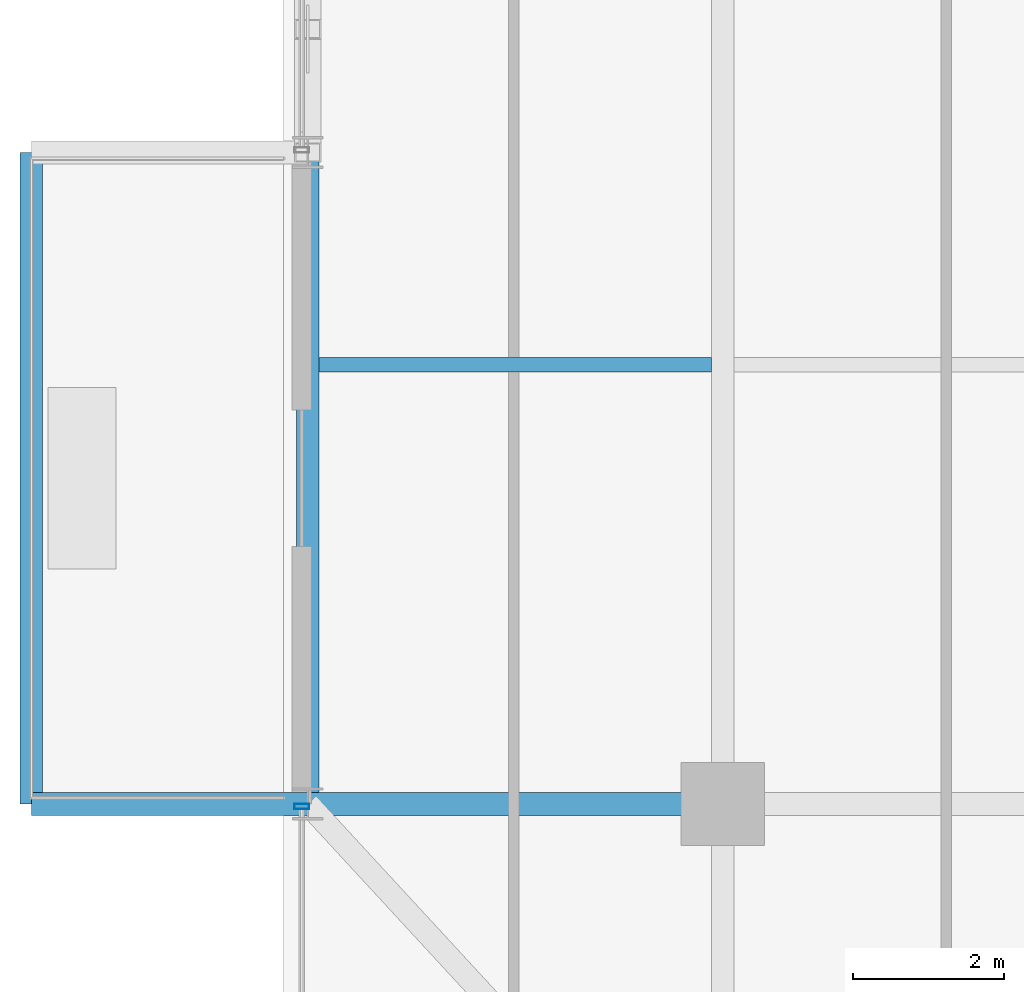
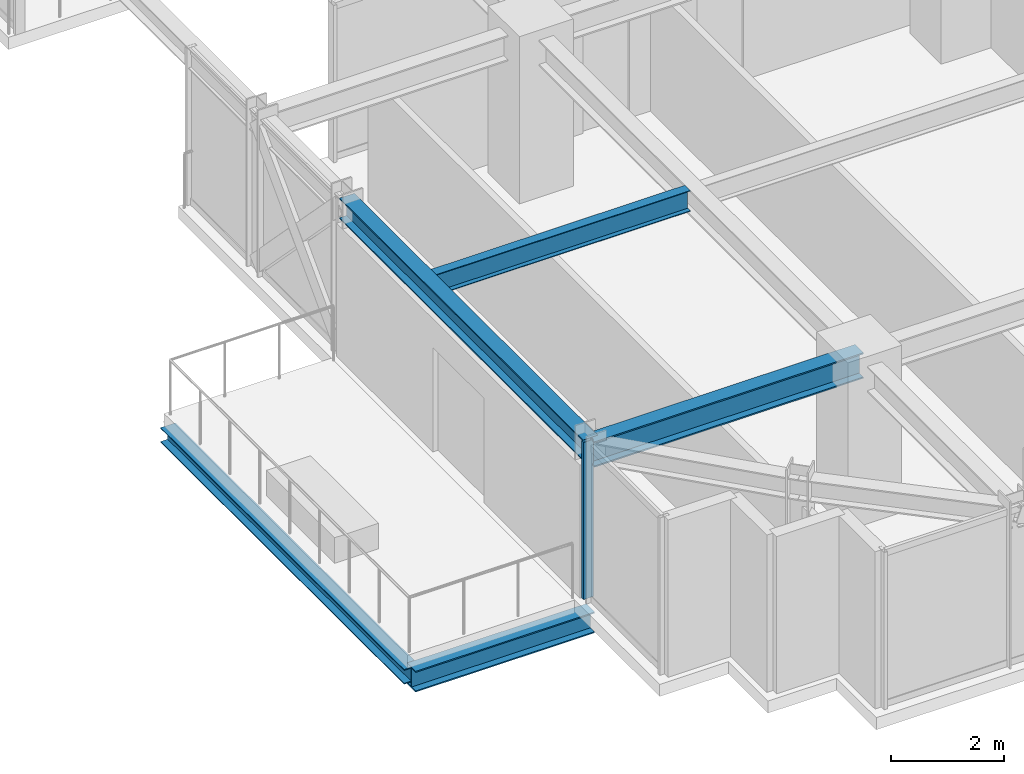
# One storey, part 3 of 35: 5 beams, 1 member, 1 element without a shape of its own.
"""IFC4 building model written with IfcOpenShell, lengths in metres."""

from ifc_helpers import new_model, si_unit, direction, frame, origin, origin_2d, place, context, subcontext, project, spatial, hollow_rectangle, i_section, extrude, source, transform, mapped, material, material_profile, profile_set, type_object, element, aggregate, save


model = new_model("IFC4")

# Units and contexts
model_context = context("Model", 3, precision=1e-05, world=origin(), true_north=direction((0.0, 1.0)))
body_context = subcontext(model_context, "Body", "Model", "MODEL_VIEW")
ifc_project = project(units=[si_unit("LENGTHUNIT", "METRE"), si_unit("AREAUNIT", "SQUARE_METRE"), si_unit("VOLUMEUNIT", "CUBIC_METRE"), si_unit("PLANEANGLEUNIT", "RADIAN"), si_unit("MASSUNIT", "GRAM", prefix="KILO")], contexts=[model_context])

# Site, building, storey
site_placement = place(None, origin())
site = spatial("IfcSite", under=ifc_project, at=site_placement, CompositionType="ELEMENT")
building_placement = place(site_placement, origin())
building = spatial("IfcBuilding", under=site, at=building_placement, Name="Nahalor Promenade Grand Hotel", CompositionType="ELEMENT")
storey_placement = place(building_placement, frame((0.0, 0.0, 185.5)))
storey = spatial("IfcBuildingStorey", under=building, at=storey_placement, Name="L47", CompositionType="ELEMENT", Elevation=185.5)

# Beams
ifc_material_1 = material(Name="Steel S355JR", Category="steel")
ifc_material_profile_1 = material_profile(ifc_material_1, i_section(OverallWidth=0.3, OverallDepth=0.32, WebThickness=0.0115, FlangeThickness=0.0205, at=origin_2d()), Name="HEB 320")
ifc_profile_set_1 = profile_set([ifc_material_profile_1], Name="Steel S355JR")
beam_type_1 = type_object("IfcBeamType", Name="Beam-BalcEdge-HEB320", PredefinedType="SPANDREL", material=ifc_profile_set_1)
shared_shape_1 = source(origin(), body_context, "Body", "SweptSolid", [
    extrude(i_section(OverallWidth=0.3, OverallDepth=0.32, WebThickness=0.0115, FlangeThickness=0.0205, at=origin_2d()), origin(), (0.0, 0.0, 1.0), 8.60009765625),
])
beam_1_placement = place(storey_placement, frame((-26.1298828125, -17.0, -0.43994140625), z_axis=(0.0, 1.0, 0.0), x_axis=(-1.0, 0.0, 0.0)))
element("IfcBeam", 1, at=beam_1_placement, inside=storey, type_object=beam_type_1, Name="BM-L47-BC-02-F", PredefinedType="SPANDREL", context=body_context, shape_type="MappedRepresentation", body=[
    mapped(shared_shape_1, transform((0.0, 0.0, 0.0), scale=1.0)),
])
ifc_material_profile_2 = material_profile(ifc_material_1, i_section(OverallWidth=0.3, OverallDepth=0.45, WebThickness=0.014, FlangeThickness=0.026, at=origin_2d()), Name="HEB 450")
ifc_profile_set_2 = profile_set([ifc_material_profile_2], Name="Steel S355JR")
beam_type_2 = type_object("IfcBeamType", Name="Beam-Outrigger-HEB450", PredefinedType="BEAM", material=ifc_profile_set_2)
shared_shape_2 = source(origin(), body_context, "Body", "SweptSolid", [
    extrude(i_section(OverallWidth=0.3, OverallDepth=0.45, WebThickness=0.014, FlangeThickness=0.026, at=origin_2d()), origin(), (0.0, 0.0, 1.0), 3.64990234375),
])
beam_2_placement = place(storey_placement, frame((-26.1298828125, -17.0, -0.5048828125), z_axis=(1.0, 0.0, 0.0), x_axis=(0.0, 1.0, 0.0)))
element("IfcBeam", 2, at=beam_2_placement, inside=storey, type_object=beam_type_2, Name="BM-L47-BC-02-1", PredefinedType="BEAM", context=body_context, shape_type="MappedRepresentation", body=[
    mapped(shared_shape_2, transform((0.0, 0.0, 0.0), scale=1.0)),
])
ifc_material_profile_3 = material_profile(ifc_material_1, i_section(OverallWidth=0.3, OverallDepth=0.55, WebThickness=0.015, FlangeThickness=0.029, at=origin_2d()), Name="HEB 550")
ifc_profile_set_3 = profile_set([ifc_material_profile_3], Name="Steel S355JR")
beam_type_3 = type_object("IfcBeamType", Name="Beam-Girder-HEB550", PredefinedType="BEAM", material=ifc_profile_set_3)
shared_shape_3 = source(origin(), body_context, "Body", "SweptSolid", [
    extrude(i_section(OverallWidth=0.3, OverallDepth=0.55, WebThickness=0.015, FlangeThickness=0.029, at=origin_2d()), origin(), (0.0, 0.0, 1.0), 5.47998046875),
])
beam_3_placement = place(storey_placement, frame((-22.47998046875, -17.0, 3.114990234375), z_axis=(1.0, 0.0, 0.0), x_axis=(0.0, 1.0, 0.0)))
element("IfcBeam", 3, at=beam_3_placement, inside=storey, type_object=beam_type_3, Name="BM-L47-GX-0-0", PredefinedType="BEAM", context=body_context, shape_type="MappedRepresentation", body=[
    mapped(shared_shape_3, transform((0.0, 0.0, 0.0), scale=1.0)),
])
ifc_material_profile_4 = material_profile(ifc_material_1, i_section(OverallWidth=0.19, OverallDepth=0.45, WebThickness=0.0094, FlangeThickness=0.0146, at=origin_2d()), Name="IPE 450")
ifc_profile_set_4 = profile_set([ifc_material_profile_4], Name="Steel S355JR")
beam_type_4 = type_object("IfcBeamType", Name="Beam-Joist-IPE450", PredefinedType="JOIST", material=ifc_profile_set_4)
shared_shape_4 = source(origin(), body_context, "Body", "SweptSolid", [
    extrude(i_section(OverallWidth=0.19, OverallDepth=0.45, WebThickness=0.0094, FlangeThickness=0.0146, at=origin_2d()), origin(), (0.0, 0.0, 1.0), 5.18017578125),
])
beam_4_placement = place(storey_placement, frame((-22.330078125, -11.199951171875, 3.1650390625), z_axis=(1.0, 0.0, 0.0), x_axis=(0.0, 1.0, 0.0)))
element("IfcBeam", 4, at=beam_4_placement, inside=storey, type_object=beam_type_4, Name="BM-L47-JSW-0-0", PredefinedType="JOIST", context=body_context, shape_type="MappedRepresentation", body=[
    mapped(shared_shape_4, transform((0.0, 0.0, 0.0), scale=1.0)),
])
ifc_material_profile_5 = material_profile(ifc_material_1, i_section(OverallWidth=0.3, OverallDepth=0.45, WebThickness=0.014, FlangeThickness=0.026, at=origin_2d()), Name="HEB 450")
ifc_profile_set_5 = profile_set([ifc_material_profile_5], Name="Steel S355JR")
beam_type_5 = type_object("IfcBeamType", Name="Beam-Spandrel-HEB450", PredefinedType="SPANDREL", material=ifc_profile_set_5)
shared_shape_5 = source(origin(), body_context, "Body", "SweptSolid", [
    extrude(i_section(OverallWidth=0.3, OverallDepth=0.45, WebThickness=0.014, FlangeThickness=0.026, at=origin_2d()), origin(), (0.0, 0.0, 1.0), 8.60009765625),
])
beam_5_placement = place(storey_placement, frame((-22.47998046875, -17.0, 3.1650390625), z_axis=(0.0, 1.0, 0.0), x_axis=(-1.0, 0.0, 0.0)))
element("IfcBeam", 5, at=beam_5_placement, inside=storey, type_object=beam_type_5, Name="BM-L47-SP-W-0", PredefinedType="SPANDREL", context=body_context, shape_type="MappedRepresentation", body=[
    mapped(shared_shape_5, transform((0.0, 0.0, 0.0), scale=1.0)),
])

# Curtain wall, member
ifc_material_2 = material(Name="Anodised Bronze Aluminium EN AW-6063 T6", Category="aluminium")
curtain_wall_type = type_object("IfcCurtainWallType", Name="CW3 Elliptical-Void Collar Unitised Curtain Wall", PredefinedType="USERDEFINED", material=ifc_material_2)
curtain_wall_placement = place(storey_placement, origin())
curtain_wall = element("IfcCurtainWall", 6, at=curtain_wall_placement, inside=storey, type_object=curtain_wall_type, Name="L47 Curtain Wall CW-L47-W-1", ObjectType="UNITISED_CURTAIN_WALL", PredefinedType="USERDEFINED")
ifc_material_profile_6 = material_profile(ifc_material_2, hollow_rectangle(XDim=0.07, YDim=0.2, WallThickness=0.005, at=origin_2d()), Name="CWM 70x200x5")
ifc_profile_set_6 = profile_set([ifc_material_profile_6], Name="Anodised Bronze Aluminium EN AW-6063 T6")
member_type = type_object("IfcMemberType", Name="CWM3 Void Collar Mullion 70x200", PredefinedType="MULLION", material=ifc_profile_set_6)
shared_shape_6 = source(origin(), body_context, "Body", "SweptSolid", [
    extrude(hollow_rectangle(XDim=0.07, YDim=0.2, WallThickness=0.005, at=origin_2d()), origin(), (0.0, 0.0, 1.0), 3.389892578125),
])
member_placement = place(storey_placement, frame((-22.56005859375, -17.034912109375, 0.0), z_axis=(0.0, 0.0, 1.0), x_axis=(0.0, 1.0, 0.0)))
member = element("IfcMember", 7, at=member_placement, type_object=member_type, Name="CW-L47-W-1 Mullion 1", PredefinedType="MULLION", context=body_context, shape_type="MappedRepresentation", body=[
    mapped(shared_shape_6, transform((0.0, 0.0, 0.0), scale=1.0)),
])
aggregate(curtain_wall, [member])

save(model, "model.ifc")
